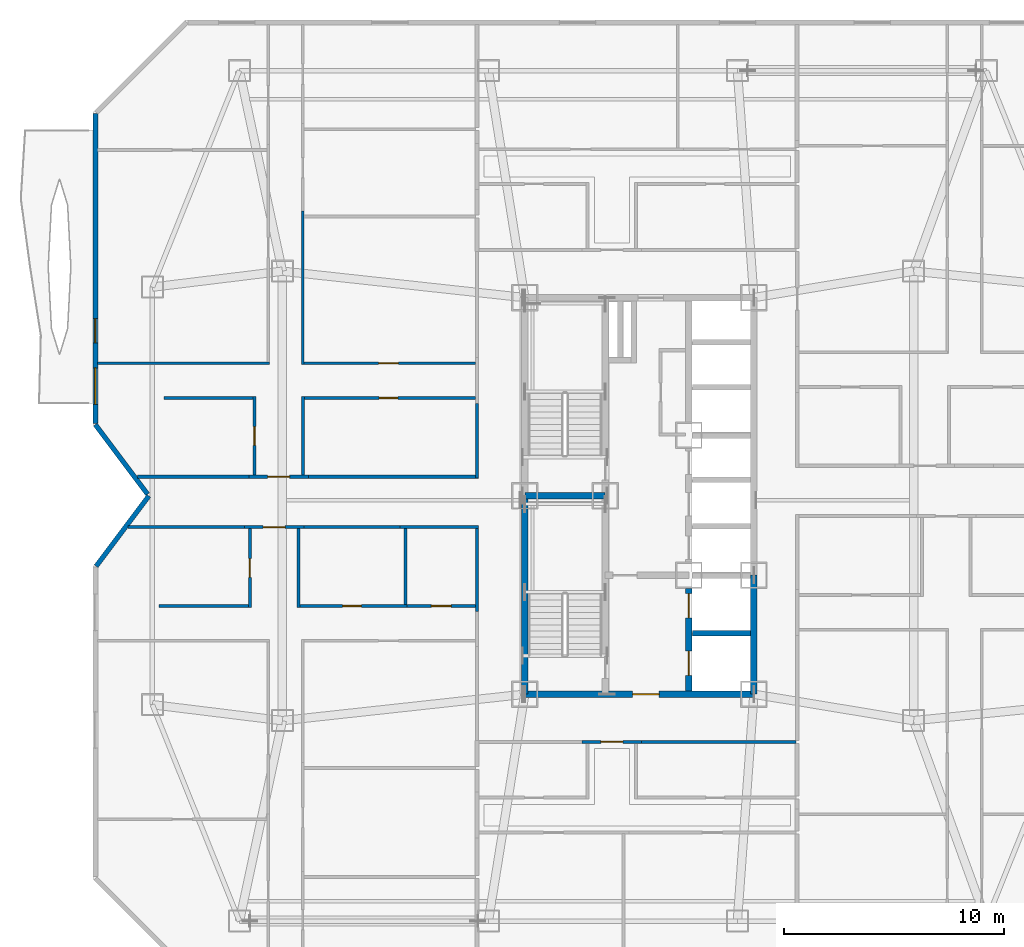
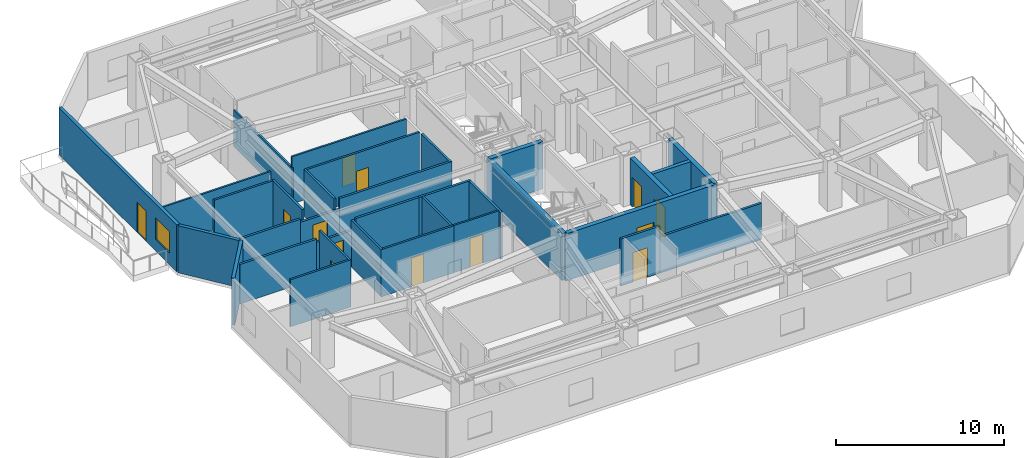
# One storey, part 8 of 15: 33 walls, 13 doors, 1 window, 14 openings.
"""IFC4 building model written with IfcOpenShell, lengths in metres."""

import ifcopenshell
import ifcopenshell.guid

model = None  # the IFC model being written
_history = None  # IfcOwnerHistory: only IFC2X3 demands one
_inside = {}  # id of a spatial element -> (the spatial element, [elements in it])
_under = {}  # id of a project, library or spatial element -> (it, [spatial elements below it])
_declared = {}  # id of a project -> (the project, [libraries it declares])
_typed = {}  # id of a type object -> (the type object, [elements of that type])
_made_of = {}  # id of a material, layer set ... -> (it, [elements and type objects made of it])


def new_model(schema):
    """Start an empty IFC model of exactly this schema.

    Asked for "IFC4X3", IfcOpenShell would pick the latest addendum, in which some entities
    have other attributes; the version numbers below select the first issue.
    IFC2X3 requires an IfcOwnerHistory on every rooted entity: one is made here for all.
    """
    global model, _history
    if schema == "IFC4X3":
        model = ifcopenshell.file(schema_version=(4, 3, 0, 0))
    else:
        model = ifcopenshell.file(schema=schema)
    _inside.clear()
    _under.clear()
    _declared.clear()
    _typed.clear()
    _made_of.clear()
    _history = None
    if model.schema == "IFC2X3":
        org = make("IfcOrganization", Name="unknown")
        user = make(
            "IfcPersonAndOrganization",
            ThePerson=make("IfcPerson", FamilyName="unknown"),
            TheOrganization=org,
        )
        app = make(
            "IfcApplication",
            ApplicationDeveloper=org,
            Version="unknown",
            ApplicationFullName="unknown",
            ApplicationIdentifier="unknown",
        )
        _history = make(
            "IfcOwnerHistory",
            OwningUser=user,
            OwningApplication=app,
            ChangeAction="ADDED",
            CreationDate=0,
        )
    return model


def make(cls, **values):
    """One entity of the class cls with the attributes given. An attribute that is None is left unset."""
    return model.create_entity(
        cls, **{name: value for name, value in values.items() if value is not None}
    )


def rooted(cls, **values):
    """An entity with a GlobalId (a new one), such as an element, a storey or a relation."""
    return make(cls, GlobalId=ifcopenshell.guid.new(), OwnerHistory=_history, **values)


def si_unit(unit_type, name, prefix=None):
    """IfcSIUnit, for example si_unit("LENGTHUNIT", "METRE", prefix="MILLI")."""
    return make("IfcSIUnit", UnitType=unit_type, Prefix=prefix, Name=name)


def assignment(units):
    """IfcUnitAssignment: the units of a project."""
    return None if units is None else make("IfcUnitAssignment", Units=units)


def point(xyz):
    """IfcCartesianPoint."""
    return None if xyz is None else make("IfcCartesianPoint", Coordinates=xyz)


def direction(xyz):
    """IfcDirection."""
    return None if xyz is None else make("IfcDirection", DirectionRatios=xyz)


def frame(location, z_axis=None, x_axis=None):
    """IfcAxis2Placement3D, a coordinate frame: its origin and axes. An axis left out is left unset."""
    return make(
        "IfcAxis2Placement3D",
        Location=point(location),
        Axis=direction(z_axis),
        RefDirection=direction(x_axis),
    )


def frame_2d(location, x_axis=None):
    """IfcAxis2Placement2D, a coordinate frame in the plane: its origin and x axis."""
    return make(
        "IfcAxis2Placement2D", Location=point(location), RefDirection=direction(x_axis)
    )


def origin():
    """The frame at (0, 0, 0) with its axes left unset."""
    return frame((0.0, 0.0, 0.0))


def place(relative_to, where):
    """IfcLocalPlacement: puts the frame where relative to a parent placement (None: the world)."""
    return make(
        "IfcLocalPlacement", PlacementRelTo=relative_to, RelativePlacement=where
    )


def context(
    kind, dimensions, precision=None, world=None, true_north=None, identifier=None
):
    """IfcGeometricRepresentationContext, for example the 3D "Model" context."""
    return make(
        "IfcGeometricRepresentationContext",
        ContextIdentifier=identifier,
        ContextType=kind,
        CoordinateSpaceDimension=dimensions,
        Precision=precision,
        WorldCoordinateSystem=world,
        TrueNorth=true_north,
    )


def subcontext(parent, identifier, kind, view, scale=None):
    """IfcGeometricRepresentationSubContext, for example "Body" below "Model"."""
    return make(
        "IfcGeometricRepresentationSubContext",
        ContextIdentifier=identifier,
        ContextType=kind,
        ParentContext=parent,
        TargetScale=scale,
        TargetView=view,
    )


def project(units=None, contexts=None):
    """IfcProject with its units and contexts."""
    return rooted(
        "IfcProject",
        Name="project",
        RepresentationContexts=contexts,
        UnitsInContext=assignment(units),
    )


def spatial(cls, under=None, at=None, **own):
    """A site, building, storey or space (cls), placed at a placement, below another one or the project."""
    s = rooted(cls, ObjectPlacement=at, **own)
    if under is not None:
        _under.setdefault(under.id(), (under, []))[1].append(s)
    return s


def profile(cls, at=None, kind="AREA", **sizes):
    """A parametric profile (cls). Its sizes go by their IFC names, for example OverallWidth=200.0."""
    return make(cls, ProfileType=kind, Position=at, **sizes)


def rectangle(**sizes):
    """IfcRectangleProfileDef."""
    return profile("IfcRectangleProfileDef", **sizes)


def extrude(swept, where, along, depth):
    """IfcExtrudedAreaSolid: the profile swept, set in the frame where, extruded along a direction by depth."""
    return make(
        "IfcExtrudedAreaSolid",
        SweptArea=swept,
        Position=where,
        ExtrudedDirection=direction(along),
        Depth=depth,
    )


def shape(context_of_items, identifier, shape_type, items):
    """IfcShapeRepresentation: the items that make up one representation, for example the "Body"."""
    return make(
        "IfcShapeRepresentation",
        ContextOfItems=context_of_items,
        RepresentationIdentifier=identifier,
        RepresentationType=shape_type,
        Items=items,
    )


def material(Name=None, Category=None):
    """IfcMaterial."""
    return make("IfcMaterial", Name=Name, Category=Category)


def layer(
    of_material, thickness, ventilated=None, Name=None, Category=None, Priority=None
):
    """IfcMaterialLayer: one layer of a wall or slab, of a material (None: an air gap)."""
    return make(
        "IfcMaterialLayer",
        Material=of_material,
        LayerThickness=thickness,
        IsVentilated=ventilated,
        Name=Name,
        Category=Category,
        Priority=Priority,
    )


def layer_set(layers, Name=None):
    """IfcMaterialLayerSet."""
    return make("IfcMaterialLayerSet", MaterialLayers=layers, LayerSetName=Name)


def made_of(thing, what):
    """Note that an element or type object is made of a material, layer set ...; save() writes the relation."""
    if what is not None:
        _made_of.setdefault(what.id(), (what, []))[1].append(thing)
    return thing


def type_object(cls, material=None, **own):
    """A type object (cls), such as IfcWallType, which elements share."""
    return made_of(rooted(cls, **own), material)


def element(
    cls,
    number,
    at=None,
    inside=None,
    cuts=None,
    type_object=None,
    material=None,
    context=None,
    identifier="Body",
    shape_type=None,
    held_by="IfcProductDefinitionShape",
    body=None,
    shapes=None,
    **own,
):
    """One element of the class cls, such as IfcWall. Its Tag is "e" and its number.

    at: its placement. inside: the storey or other place that contains it. cuts: it is an
    opening in that element (IfcRelVoidsElement). A single representation is given by context,
    identifier, shape_type and body (its items); several are given by shapes. held_by: the class
    of the entity that holds the representations. save() writes the other relations.
    """
    e = rooted(cls, Tag="e%d" % number, ObjectPlacement=at, **own)
    if body is not None:
        shapes = [shape(context, identifier, shape_type, body)]
    if shapes is not None:
        e.Representation = make(held_by, Representations=shapes)
    if inside is not None:
        _inside.setdefault(inside.id(), (inside, []))[1].append(e)
    if cuts is not None:
        rooted(
            "IfcRelVoidsElement", RelatingBuildingElement=cuts, RelatedOpeningElement=e
        )
    if type_object is not None:
        _typed.setdefault(type_object.id(), (type_object, []))[1].append(e)
    return made_of(e, material)


def fill(opening, filler):
    """IfcRelFillsElement: the door or window that sits in an opening."""
    return rooted(
        "IfcRelFillsElement",
        RelatingOpeningElement=opening,
        RelatedBuildingElement=filler,
    )


def aggregate(whole, parts):
    """IfcRelAggregates: a whole, such as a stair, and the parts it consists of."""
    return rooted("IfcRelAggregates", RelatingObject=whole, RelatedObjects=parts)


def save(model, path):
    """Write the relations noted so far, then the file.

    IfcRelAggregates (storeys below a building ...), IfcRelContainedInSpatialStructure (elements
    in a storey), IfcRelDefinesByType, IfcRelAssociatesMaterial and IfcRelDeclares: one each for
    every whole, place, type object, material and project.
    """
    for whole, parts in _under.values():
        aggregate(whole, parts)
    for where, things in _inside.values():
        rooted(
            "IfcRelContainedInSpatialStructure",
            RelatedElements=things,
            RelatingStructure=where,
        )
    for kind, things in _typed.values():
        rooted("IfcRelDefinesByType", RelatedObjects=things, RelatingType=kind)
    for what, things in _made_of.values():
        rooted("IfcRelAssociatesMaterial", RelatedObjects=things, RelatingMaterial=what)
    for by, libraries in _declared.values():
        rooted("IfcRelDeclares", RelatingContext=by, RelatedDefinitions=libraries)
    model.write(path)


model = new_model("IFC4")

# Units and contexts
model_context = context("Model", 3, precision=1e-05, world=origin(), true_north=direction((0.0, 1.0)))
body_context = subcontext(model_context, "Body", "Model", "MODEL_VIEW")
ifc_project = project(units=[si_unit("LENGTHUNIT", "METRE"), si_unit("AREAUNIT", "SQUARE_METRE"), si_unit("VOLUMEUNIT", "CUBIC_METRE"), si_unit("PLANEANGLEUNIT", "RADIAN"), si_unit("MASSUNIT", "GRAM", prefix="KILO")], contexts=[model_context])

# Site, building, storey
site_placement = place(None, origin())
site = spatial("IfcSite", under=ifc_project, at=site_placement, CompositionType="ELEMENT")
building_placement = place(site_placement, origin())
building = spatial("IfcBuilding", under=site, at=building_placement, Name="Khamvora Tower", CompositionType="ELEMENT")
storey_placement = place(building_placement, frame((0.0, 0.0, 101.89990234375)))
storey = spatial("IfcBuildingStorey", under=building, at=storey_placement, Name="L25", CompositionType="ELEMENT", Elevation=101.89990234375)

# Wall
ifc_material_1 = material(Name="Concrete C50/60", Category="concrete")
ifc_layer_1 = layer(ifc_material_1, 0.300048828125)
ifc_layer_set_1 = layer_set([ifc_layer_1], Name="Concrete C50/60")
wall_type_1 = type_object("IfcWallType", Name="WAL-CORE-300", PredefinedType="SHEAR", material=ifc_layer_set_1)
wall_1_placement = place(storey_placement, frame((29.0, 19.0, 0.0), z_axis=(0.0, 0.0, 1.0), x_axis=(0.0, 1.0, 0.0)))
element("IfcWall", 1, at=wall_1_placement, inside=storey, type_object=wall_type_1, Name="L25 central core west south wall", PredefinedType="SHEAR", context=body_context, shape_type="SweptSolid", body=[
    extrude(rectangle(XDim=9.0, YDim=0.300048828125, at=frame_2d((4.5, 0.0))), origin(), (0.0, 0.0, 1.0), 3.43017578125),
])

# Wall, opening, door
wall_2_placement = place(storey_placement, frame((29.0, 19.0, 0.0), z_axis=(0.0, 0.0, 1.0), x_axis=(1.0, 0.0, 0.0)))
wall_2 = element("IfcWall", 2, at=wall_2_placement, inside=storey, type_object=wall_type_1, Name="L25 central core south wall", PredefinedType="SHEAR", context=body_context, shape_type="SweptSolid", body=[
    extrude(rectangle(XDim=10.39990234375, YDim=0.300048828125, at=frame_2d((5.199951171875, 0.0))), origin(), (0.0, 0.0, 1.0), 3.43017578125),
])
opening_1_placement = place(wall_2_placement, frame((4.89990234375, 0.0, 0.0)))
opening_1 = element("IfcOpeningElement", 3, at=opening_1_placement, cuts=wall_2, Name="Opening D-CR1", PredefinedType="OPENING", context=body_context, shape_type="SweptSolid", body=[
    extrude(rectangle(XDim=1.199951171875, YDim=2.14990234375, at=frame_2d((0.60009765625, 1.074951171875))), frame((0.0, 0.159912109375, 0.0), z_axis=(0.0, -1.0, 0.0), x_axis=(1.0, 0.0, 0.0)), (0.0, 0.0, 1.0), 0.320068359375),
])
ifc_material_2 = material(Name="Powder-Coated Steel and Hardwood Leaf", Category="steel")
door_type_1 = type_object("IfcDoorType", Name="DOR-CORR-1200", OperationType="NOTDEFINED", PredefinedType="DOOR", material=ifc_material_2)
door_1_placement = place(opening_1_placement, origin())
door_1 = element("IfcDoor", 4, at=door_1_placement, inside=storey, type_object=door_type_1, Name="L25 south core lobby to corridor fire door", OperationType="SINGLE_SWING_RIGHT", OverallHeight=2.14990234375, OverallWidth=1.199951171875, PredefinedType="DOOR", context=body_context, shape_type="SweptSolid", body=[
    extrude(rectangle(XDim=1.199951171875, YDim=2.14990234375, at=frame_2d((0.60009765625, 1.074951171875))), frame((0.0, 0.02490234375, 0.0), z_axis=(0.0, -1.0, 0.0), x_axis=(1.0, 0.0, 0.0)), (0.0, 0.0, 1.0), 0.050048828125),
])
fill(opening_1, door_1)

# Walls
wall_3_placement = place(storey_placement, frame((39.39990234375, 19.0, 0.0), z_axis=(0.0, 0.0, 1.0), x_axis=(0.0, 1.0, 0.0)))
element("IfcWall", 5, at=wall_3_placement, inside=storey, type_object=wall_type_1, Name="L25 central core east south wall", PredefinedType="SHEAR", context=body_context, shape_type="SweptSolid", body=[
    extrude(rectangle(XDim=5.39990234375, YDim=0.300048828125, at=frame_2d((2.699951171875, 0.0))), origin(), (0.0, 0.0, 1.0), 3.43017578125),
])
wall_4_placement = place(storey_placement, frame((29.0, 28.0, 0.0), z_axis=(0.0, 0.0, 1.0), x_axis=(1.0, 0.0, 0.0)))
element("IfcWall", 6, at=wall_4_placement, inside=storey, type_object=wall_type_1, Name="L25 central core stair cross wall", PredefinedType="SHEAR", context=body_context, shape_type="SweptSolid", body=[
    extrude(rectangle(XDim=3.64990234375, YDim=0.300048828125, at=frame_2d((1.824951171875, 0.0))), origin(), (0.0, 0.0, 1.0), 3.43017578125),
])

# Wall, openings, doors
wall_5_placement = place(storey_placement, frame((36.449951171875, 19.154052734375, 0.0), z_axis=(0.0, 0.0, 1.0), x_axis=(0.0, 1.0, 0.0)))
wall_5 = element("IfcWall", 7, at=wall_5_placement, inside=storey, type_object=wall_type_1, Name="L25 central core lift bank south wall", PredefinedType="SHEAR", context=body_context, shape_type="SweptSolid", body=[
    extrude(rectangle(XDim=4.64599609375, YDim=0.300048828125, at=frame_2d((2.322998046875, 0.0))), origin(), (0.0, 0.0, 1.0), 3.43017578125),
])
opening_2_placement = place(wall_5_placement, frame((0.696044921875, 0.0, 0.0)))
opening_2 = element("IfcOpeningElement", 8, at=opening_2_placement, cuts=wall_5, Name="Opening LD-FFL", PredefinedType="OPENING", context=body_context, shape_type="SweptSolid", body=[
    extrude(rectangle(XDim=1.10009765625, YDim=2.14990234375, at=frame_2d((0.550048828125, 1.074951171875))), frame((0.0, 0.159912109375, 0.0), z_axis=(0.0, -1.0, 0.0), x_axis=(1.0, 0.0, 0.0)), (0.0, 0.0, 1.0), 0.320068359375),
])
opening_3_placement = place(wall_5_placement, frame((3.31591796875, 0.0, 0.0)))
opening_3 = element("IfcOpeningElement", 9, at=opening_3_placement, cuts=wall_5, Name="Opening LD-FFL", PredefinedType="OPENING", context=body_context, shape_type="SweptSolid", body=[
    extrude(rectangle(XDim=1.10009765625, YDim=2.14990234375, at=frame_2d((0.550048828125, 1.074951171875))), frame((0.0, 0.159912109375, 0.0), z_axis=(0.0, -1.0, 0.0), x_axis=(1.0, 0.0, 0.0)), (0.0, 0.0, 1.0), 0.320068359375),
])
door_type_2 = type_object("IfcDoorType", Name="DOR-LIFT-1100", OperationType="SLIDING_TO_LEFT", PredefinedType="DOOR", material=ifc_material_2)
door_2_placement = place(opening_2_placement, origin())
door_2 = element("IfcDoor", 10, at=door_2_placement, inside=storey, type_object=door_type_2, Name="L25 lift landing sliding door FFL-01", OperationType="SLIDING_TO_LEFT", OverallHeight=2.14990234375, OverallWidth=1.10009765625, PredefinedType="DOOR", context=body_context, shape_type="SweptSolid", body=[
    extrude(rectangle(XDim=1.10009765625, YDim=2.14990234375, at=frame_2d((0.550048828125, 1.074951171875))), frame((0.0, 0.02490234375, 0.0), z_axis=(0.0, -1.0, 0.0), x_axis=(1.0, 0.0, 0.0)), (0.0, 0.0, 1.0), 0.050048828125),
])
fill(opening_2, door_2)
door_3_placement = place(opening_3_placement, origin())
door_3 = element("IfcDoor", 11, at=door_3_placement, inside=storey, type_object=door_type_2, Name="L25 lift landing sliding door FFL-02", OperationType="SLIDING_TO_LEFT", OverallHeight=2.14990234375, OverallWidth=1.10009765625, PredefinedType="DOOR", context=body_context, shape_type="SweptSolid", body=[
    extrude(rectangle(XDim=1.10009765625, YDim=2.14990234375, at=frame_2d((0.550048828125, 1.074951171875))), frame((0.0, 0.02490234375, 0.0), z_axis=(0.0, -1.0, 0.0), x_axis=(1.0, 0.0, 0.0)), (0.0, 0.0, 1.0), 0.050048828125),
])
fill(opening_3, door_3)

# Walls
ifc_material_3 = material(Name="Fire-Rated Drywall and Steel Stud", Category="steel")
ifc_layer_2 = layer(ifc_material_3, 0.14990234375)
ifc_layer_set_2 = layer_set([ifc_layer_2], Name="Fire-Rated Drywall and Steel Stud")
wall_type_2 = type_object("IfcWallType", Name="WAL-CORR-150", PredefinedType="STANDARD", material=ifc_layer_set_2)
wall_6_placement = place(storey_placement, frame((26.8349609375, 22.756103515625, 0.0), z_axis=(0.0, 0.0, 1.0), x_axis=(0.0, 1.0, 0.0)))
element("IfcWall", 12, at=wall_6_placement, inside=storey, type_object=wall_type_2, Name="L25 interior partition wall 004", PredefinedType="STANDARD", context=body_context, shape_type="SweptSolid", body=[
    extrude(rectangle(XDim=3.893798828125, YDim=0.14990234375, at=frame_2d((1.94677734375, 0.0))), origin(), (0.0, 0.0, 1.0), 3.43017578125),
])
wall_7_placement = place(storey_placement, frame((26.89794921875, 26.5849609375, 0.0), z_axis=(0.0, 0.0, 1.0), x_axis=(-1.0, 0.0, 0.0)))
element("IfcWall", 13, at=wall_7_placement, inside=storey, type_object=wall_type_2, Name="L25 interior partition wall 005", PredefinedType="STANDARD", context=body_context, shape_type="SweptSolid", body=[
    extrude(rectangle(XDim=3.556884765625, YDim=0.14990234375, at=frame_2d((1.7783203125, 0.0))), origin(), (0.0, 0.0, 1.0), 3.43017578125),
])

# Wall, opening, door
wall_8_placement = place(storey_placement, frame((18.97509765625, 26.5849609375, 0.0), z_axis=(0.0, 0.0, 1.0), x_axis=(-1.0, 0.0, 0.0)))
wall_8 = element("IfcWall", 14, at=wall_8_placement, inside=storey, type_object=wall_type_2, Name="L25 interior partition wall 007", PredefinedType="STANDARD", context=body_context, shape_type="SweptSolid", body=[
    extrude(rectangle(XDim=2.69921875, YDim=0.14990234375, at=frame_2d((1.349609375, 0.0))), origin(), (0.0, 0.0, 1.0), 2.647216796875),
])
opening_4_placement = place(wall_8_placement, frame((0.84912109375, 0.0, 0.0)))
opening_4 = element("IfcOpeningElement", 15, at=opening_4_placement, cuts=wall_8, Name="Opening D-U1", PredefinedType="OPENING", context=body_context, shape_type="SweptSolid", body=[
    extrude(rectangle(XDim=1.0, YDim=2.14990234375, at=frame_2d((0.5, 1.074951171875))), frame((0.0, 0.0849609375, 0.0), z_axis=(0.0, -1.0, 0.0), x_axis=(1.0, 0.0, 0.0)), (0.0, 0.0, 1.0), 0.169921875),
])
door_type_3 = type_object("IfcDoorType", Name="DOR-UNIT-1000", OperationType="NOTDEFINED", PredefinedType="DOOR", material=ifc_material_2)
door_4_placement = place(opening_4_placement, origin())
door_4 = element("IfcDoor", 16, at=door_4_placement, inside=storey, type_object=door_type_3, Name="L25 interior door COR-25WAH", OperationType="SINGLE_SWING_LEFT", OverallHeight=2.14990234375, OverallWidth=1.0, PredefinedType="DOOR", context=body_context, shape_type="SweptSolid", body=[
    extrude(rectangle(XDim=1.0, YDim=2.14990234375, at=frame_2d((0.5, 1.074951171875))), frame((0.0, 0.02490234375, 0.0), z_axis=(0.0, -1.0, 0.0), x_axis=(1.0, 0.0, 0.0)), (0.0, 0.0, 1.0), 0.050048828125),
])
fill(opening_4, door_4)

# Walls
wall_9_placement = place(storey_placement, frame((16.27587890625, 26.5849609375, 0.0), z_axis=(0.0, 0.0, 1.0), x_axis=(-1.0, 0.0, 0.0)))
element("IfcWall", 17, at=wall_9_placement, inside=storey, type_object=wall_type_2, Name="L25 interior partition wall 008", PredefinedType="STANDARD", context=body_context, shape_type="SweptSolid", body=[
    extrude(rectangle(XDim=5.27197265625, YDim=0.14990234375, at=frame_2d((2.635986328125, 0.0))), origin(), (0.0, 0.0, 1.0), 2.8759765625),
])
wall_10_placement = place(storey_placement, frame((23.341064453125, 26.5849609375, 0.0), z_axis=(0.0, 0.0, 1.0), x_axis=(-1.0, 0.0, 0.0)))
element("IfcWall", 18, at=wall_10_placement, inside=storey, type_object=wall_type_2, Name="L25 interior partition wall 009", PredefinedType="STANDARD", context=body_context, shape_type="SweptSolid", body=[
    extrude(rectangle(XDim=4.365966796875, YDim=0.14990234375, at=frame_2d((2.18310546875, 0.0))), origin(), (0.0, 0.0, 1.0), 3.43017578125),
])

# Wall, opening, door
wall_11_placement = place(storey_placement, frame((16.48291015625, 28.864990234375, 0.0), z_axis=(0.0, 0.0, 1.0), x_axis=(1.0, 0.0, 0.0)))
wall_11 = element("IfcWall", 19, at=wall_11_placement, inside=storey, type_object=wall_type_2, Name="L25 interior partition wall 011", PredefinedType="STANDARD", context=body_context, shape_type="SweptSolid", body=[
    extrude(rectangle(XDim=2.697998046875, YDim=0.14990234375, at=frame_2d((1.34912109375, 0.0))), origin(), (0.0, 0.0, 1.0), 2.647216796875),
])
opening_5_placement = place(wall_11_placement, frame((0.84912109375, 0.0, 0.0)))
opening_5 = element("IfcOpeningElement", 20, at=opening_5_placement, cuts=wall_11, Name="Opening D-U1", PredefinedType="OPENING", context=body_context, shape_type="SweptSolid", body=[
    extrude(rectangle(XDim=1.0, YDim=2.14990234375, at=frame_2d((0.5, 1.074951171875))), frame((0.0, 0.0849609375, 0.0), z_axis=(0.0, -1.0, 0.0), x_axis=(1.0, 0.0, 0.0)), (0.0, 0.0, 1.0), 0.169921875),
])
door_5_placement = place(opening_5_placement, origin())
door_5 = element("IfcDoor", 21, at=door_5_placement, inside=storey, type_object=door_type_3, Name="L25 interior door COR-25WBH", OperationType="SINGLE_SWING_RIGHT", OverallHeight=2.14990234375, OverallWidth=1.0, PredefinedType="DOOR", context=body_context, shape_type="SweptSolid", body=[
    extrude(rectangle(XDim=1.0, YDim=2.14990234375, at=frame_2d((0.5, 1.074951171875))), frame((0.0, 0.02490234375, 0.0), z_axis=(0.0, -1.0, 0.0), x_axis=(1.0, 0.0, 0.0)), (0.0, 0.0, 1.0), 0.050048828125),
])
fill(opening_5, door_5)

# Walls
wall_12_placement = place(storey_placement, frame((11.4169921875, 28.864990234375, 0.0), z_axis=(0.0, 0.0, 1.0), x_axis=(1.0, 0.0, 0.0)))
element("IfcWall", 22, at=wall_12_placement, inside=storey, type_object=wall_type_2, Name="L25 interior partition wall 013", PredefinedType="STANDARD", context=body_context, shape_type="SweptSolid", body=[
    extrude(rectangle(XDim=5.06591796875, YDim=0.14990234375, at=frame_2d((2.532958984375, 0.0))), origin(), (0.0, 0.0, 1.0), 2.8759765625),
])
wall_13_placement = place(storey_placement, frame((19.180908203125, 28.864990234375, 0.0), z_axis=(0.0, 0.0, 1.0), x_axis=(1.0, 0.0, 0.0)))
element("IfcWall", 23, at=wall_13_placement, inside=storey, type_object=wall_type_2, Name="L25 interior partition wall 014", PredefinedType="STANDARD", context=body_context, shape_type="SweptSolid", body=[
    extrude(rectangle(XDim=7.718994140625, YDim=0.14990234375, at=frame_2d((3.859375, 0.0))), origin(), (0.0, 0.0, 1.0), 3.43017578125),
])
wall_14_placement = place(storey_placement, frame((26.8349609375, 28.802001953125, 0.0), z_axis=(0.0, 0.0, 1.0), x_axis=(0.0, 1.0, 0.0)))
element("IfcWall", 24, at=wall_14_placement, inside=storey, type_object=wall_type_2, Name="L25 interior partition wall 015", PredefinedType="STANDARD", context=body_context, shape_type="SweptSolid", body=[
    extrude(rectangle(XDim=3.39404296875, YDim=0.14990234375, at=frame_2d((1.697021484375, 0.0))), origin(), (0.0, 0.0, 1.0), 3.43017578125),
])

# Wall, opening, door
wall_15_placement = place(storey_placement, frame((34.299072265625, 16.8349609375, 0.0), z_axis=(0.0, 0.0, 1.0), x_axis=(-1.0, 0.0, 0.0)))
wall_15 = element("IfcWall", 25, at=wall_15_placement, inside=storey, type_object=wall_type_2, Name="L25 interior partition wall 017", PredefinedType="STANDARD", context=body_context, shape_type="SweptSolid", body=[
    extrude(rectangle(XDim=2.697998046875, YDim=0.14990234375, at=frame_2d((1.34912109375, 0.0))), origin(), (0.0, 0.0, 1.0), 3.43017578125),
])
opening_6_placement = place(wall_15_placement, frame((0.84912109375, 0.0, 0.0)))
opening_6 = element("IfcOpeningElement", 26, at=opening_6_placement, cuts=wall_15, Name="Opening D-U1", PredefinedType="OPENING", context=body_context, shape_type="SweptSolid", body=[
    extrude(rectangle(XDim=1.0, YDim=2.14990234375, at=frame_2d((0.5, 1.074951171875))), frame((0.0, 0.0849609375, 0.0), z_axis=(0.0, -1.0, 0.0), x_axis=(1.0, 0.0, 0.0)), (0.0, 0.0, 1.0), 0.169921875),
])
door_6_placement = place(opening_6_placement, origin())
door_6 = element("IfcDoor", 27, at=door_6_placement, inside=storey, type_object=door_type_3, Name="L25 interior door COR-25SAH", OperationType="SINGLE_SWING_LEFT", OverallHeight=2.14990234375, OverallWidth=1.0, PredefinedType="DOOR", context=body_context, shape_type="SweptSolid", body=[
    extrude(rectangle(XDim=1.0, YDim=2.14990234375, at=frame_2d((0.5, 1.074951171875))), frame((0.0, 0.02490234375, 0.0), z_axis=(0.0, -1.0, 0.0), x_axis=(1.0, 0.0, 0.0)), (0.0, 0.0, 1.0), 0.050048828125),
])
fill(opening_6, door_6)

# Walls
wall_16_placement = place(storey_placement, frame((41.300048828125, 16.8349609375, 0.0), z_axis=(0.0, 0.0, 1.0), x_axis=(-1.0, 0.0, 0.0)))
element("IfcWall", 28, at=wall_16_placement, inside=storey, type_object=wall_type_2, Name="L25 interior partition wall 019", PredefinedType="STANDARD", context=body_context, shape_type="SweptSolid", body=[
    extrude(rectangle(XDim=7.0009765625, YDim=0.14990234375, at=frame_2d((3.50048828125, 0.0))), origin(), (0.0, 0.0, 1.0), 2.647216796875),
])
ifc_material_4 = material(Name="Precast concrete C40/50", Category="concrete")
ifc_layer_3 = layer(ifc_material_4, 0.219970703125)
ifc_layer_set_3 = layer_set([ifc_layer_3], Name="Precast concrete C40/50")
wall_type_3 = type_object("IfcWallType", Name="WAL-EXT-220", PredefinedType="STANDARD", material=ifc_layer_set_3)
wall_17_placement = place(storey_placement, frame((9.5439453125, 24.80810546875, 0.0), z_axis=(0.0, 0.0, 1.0), x_axis=(0.600019580308, 0.799985314394, 0.0)))
element("IfcWall", 29, at=wall_17_placement, inside=storey, type_object=wall_type_3, Name="L25 exterior facade wall 03.1", PredefinedType="STANDARD", context=body_context, shape_type="SweptSolid", body=[
    extrude(rectangle(XDim=3.989990234375, YDim=0.219970703125, at=frame_2d((1.9951171875, 0.0))), origin(), (0.0, 0.0, 1.0), 3.43017578125),
])
wall_18_placement = place(storey_placement, frame((11.881103515625, 28.076904296875, 0.0), z_axis=(0.0, 0.0, 1.0), x_axis=(-0.600158184825, 0.799881336942, 0.0)))
element("IfcWall", 30, at=wall_18_placement, inside=storey, type_object=wall_type_3, Name="L25 exterior facade wall 04.1", PredefinedType="STANDARD", context=body_context, shape_type="SweptSolid", body=[
    extrude(rectangle(XDim=3.95068359375, YDim=0.219970703125, at=frame_2d((1.975341796875, 0.0))), origin(), (0.0, 0.0, 1.0), 3.43017578125),
])

# Wall, openings, door, window
wall_19_placement = place(storey_placement, frame((9.510009765625, 31.29296875, 0.0), z_axis=(0.0, 0.0, 1.0), x_axis=(0.0, 1.0, 0.0)))
wall_19 = element("IfcWall", 31, at=wall_19_placement, inside=storey, type_object=wall_type_3, Name="L25 exterior facade wall 05.1", PredefinedType="STANDARD", context=body_context, shape_type="SweptSolid", body=[
    extrude(rectangle(XDim=14.06103515625, YDim=0.219970703125, at=frame_2d((7.030517578125, 0.0))), origin(), (0.0, 0.0, 1.0), 3.43017578125),
])
opening_7_placement = place(wall_19_placement, frame((3.64990234375, 0.0, 0.0)))
opening_7 = element("IfcOpeningElement", 32, at=opening_7_placement, cuts=wall_19, Name="Opening BD-01", PredefinedType="OPENING", context=body_context, shape_type="SweptSolid", body=[
    extrude(rectangle(XDim=1.10009765625, YDim=2.199951171875, at=frame_2d((0.550048828125, 1.10009765625))), frame((0.0, 0.119873046875, 0.0), z_axis=(0.0, -1.0, 0.0), x_axis=(1.0, 0.0, 0.0)), (0.0, 0.0, 1.0), 0.239990234375),
])
opening_8_placement = place(wall_19_placement, frame((0.866943359375, 0.0, 0.85009765625)))
opening_8 = element("IfcOpeningElement", 33, at=opening_8_placement, cuts=wall_19, Name="Opening WN-06", PredefinedType="OPENING", context=body_context, shape_type="SweptSolid", body=[
    extrude(rectangle(XDim=1.64990234375, YDim=1.550048828125, at=frame_2d((0.824951171875, 0.77490234375))), frame((0.0, 0.119873046875, 0.0), z_axis=(0.0, -1.0, 0.0), x_axis=(1.0, 0.0, 0.0)), (0.0, 0.0, 1.0), 0.239990234375),
])
ifc_material_5 = material(Name="Anodised Aluminium and Laminated Safety Glass", Category="aluminium")
door_type_4 = type_object("IfcDoorType", Name="DOR-BAL-1100", OperationType="NOTDEFINED", PredefinedType="DOOR", material=ifc_material_5)
door_7_placement = place(opening_7_placement, origin())
door_7 = element("IfcDoor", 34, at=door_7_placement, inside=storey, type_object=door_type_4, Name="L25 lens gallery balcony door WL2", OperationType="SLIDING_TO_LEFT", OverallHeight=2.199951171875, OverallWidth=1.10009765625, PredefinedType="DOOR", context=body_context, shape_type="SweptSolid", body=[
    extrude(rectangle(XDim=1.10009765625, YDim=2.199951171875, at=frame_2d((0.550048828125, 1.10009765625))), frame((0.0, 0.02490234375, 0.0), z_axis=(0.0, -1.0, 0.0), x_axis=(1.0, 0.0, 0.0)), (0.0, 0.0, 1.0), 0.050048828125),
])
fill(opening_7, door_7)
ifc_material_6 = material(Name="Low-E Laminated Double Glazing", Category="glass")
window_type = type_object("IfcWindowType", Name="WIN-VIS-1650x1550", PartitioningType="SINGLE_PANEL", PredefinedType="WINDOW", material=ifc_material_6)
window_placement = place(opening_8_placement, origin())
window = element("IfcWindow", 35, at=window_placement, inside=storey, type_object=window_type, Name="L25 vision window 05.1.01", OverallHeight=1.550048828125, OverallWidth=1.64990234375, PartitioningType="SINGLE_PANEL", PredefinedType="WINDOW", context=body_context, shape_type="SweptSolid", body=[
    extrude(rectangle(XDim=1.64990234375, YDim=1.550048828125, at=frame_2d((0.824951171875, 0.77490234375))), frame((0.0, 0.030029296875, 0.0), z_axis=(0.0, -1.0, 0.0), x_axis=(1.0, 0.0, 0.0)), (0.0, 0.0, 1.0), 0.06005859375),
])
fill(opening_8, window)

# Wall, opening, door
ifc_material_7 = material(Name="Gypsum Plasterboard Partition", Category="gypsum")
ifc_layer_4 = layer(ifc_material_7, 0.1201171875)
ifc_layer_set_4 = layer_set([ifc_layer_4], Name="Gypsum Plasterboard Partition")
wall_type_4 = type_object("IfcWallType", Name="WAL-PART-120", PredefinedType="PARTITIONING", material=ifc_layer_set_4)
wall_20_placement = place(storey_placement, frame((26.77001953125, 23.0048828125, 0.0), z_axis=(0.0, 0.0, 1.0), x_axis=(-1.0, 0.0, 0.0)))
wall_20 = element("IfcWall", 36, at=wall_20_placement, inside=storey, type_object=wall_type_4, Name="L25 interior partition wall 036", PredefinedType="PARTITIONING", context=body_context, shape_type="SweptSolid", body=[
    extrude(rectangle(XDim=3.114013671875, YDim=0.1201171875, at=frame_2d((1.55712890625, 0.0))), origin(), (0.0, 0.0, 1.0), 3.43017578125),
])
opening_9_placement = place(wall_20_placement, frame((1.10693359375, 0.0, 0.0)))
opening_9 = element("IfcOpeningElement", 37, at=opening_9_placement, cuts=wall_20, Name="Opening D-RM1", PredefinedType="OPENING", context=body_context, shape_type="SweptSolid", body=[
    extrude(rectangle(XDim=0.89990234375, YDim=2.10009765625, at=frame_2d((0.449951171875, 1.050048828125))), frame((0.0, 0.070068359375, 0.0), z_axis=(0.0, -1.0, 0.0), x_axis=(1.0, 0.0, 0.0)), (0.0, 0.0, 1.0), 0.14013671875),
])
door_type_5 = type_object("IfcDoorType", Name="DOR-ROOM-900", OperationType="NOTDEFINED", PredefinedType="DOOR", material=ifc_material_2)
door_8_placement = place(opening_9_placement, origin())
door_8 = element("IfcDoor", 38, at=door_8_placement, inside=storey, type_object=door_type_5, Name="L25 interior door 25WAW2-25WAH", OperationType="SINGLE_SWING_RIGHT", OverallHeight=2.10009765625, OverallWidth=0.89990234375, PredefinedType="DOOR", context=body_context, shape_type="SweptSolid", body=[
    extrude(rectangle(XDim=0.89990234375, YDim=2.10009765625, at=frame_2d((0.449951171875, 1.050048828125))), frame((0.0, 0.02490234375, 0.0), z_axis=(0.0, -1.0, 0.0), x_axis=(1.0, 0.0, 0.0)), (0.0, 0.0, 1.0), 0.050048828125),
])
fill(opening_9, door_8)

# Wall
wall_21_placement = place(storey_placement, frame((9.612060546875, 34.02490234375, 0.0), z_axis=(0.0, 0.0, 1.0), x_axis=(1.0, 0.0, 0.0)))
element("IfcWall", 39, at=wall_21_placement, inside=storey, type_object=wall_type_4, Name="L25 interior partition wall 061", PredefinedType="PARTITIONING", context=body_context, shape_type="SweptSolid", body=[
    extrude(rectangle(XDim=7.807861328125, YDim=0.1201171875, at=frame_2d((3.90380859375, 0.0))), origin(), (0.0, 0.0, 1.0), 2.8759765625),
])

# Wall, opening, door
wall_22_placement = place(storey_placement, frame((18.866943359375, 34.02490234375, 0.0), z_axis=(0.0, 0.0, 1.0), x_axis=(1.0, 0.0, 0.0)))
wall_22 = element("IfcWall", 40, at=wall_22_placement, inside=storey, type_object=wall_type_4, Name="L25 interior partition wall 064", PredefinedType="PARTITIONING", context=body_context, shape_type="SweptSolid", body=[
    extrude(rectangle(XDim=7.903076171875, YDim=0.1201171875, at=frame_2d((3.95166015625, 0.0))), origin(), (0.0, 0.0, 1.0), 3.43017578125),
])
opening_10_placement = place(wall_22_placement, frame((3.5009765625, 0.0, 0.0)))
opening_10 = element("IfcOpeningElement", 41, at=opening_10_placement, cuts=wall_22, Name="Opening D-RM1", PredefinedType="OPENING", context=body_context, shape_type="SweptSolid", body=[
    extrude(rectangle(XDim=0.89990234375, YDim=2.10009765625, at=frame_2d((0.449951171875, 1.050048828125))), frame((0.0, 0.070068359375, 0.0), z_axis=(0.0, -1.0, 0.0), x_axis=(1.0, 0.0, 0.0)), (0.0, 0.0, 1.0), 0.14013671875),
])
door_9_placement = place(opening_10_placement, origin())
door_9 = element("IfcDoor", 42, at=door_9_placement, inside=storey, type_object=door_type_5, Name="L25 interior door 25WBH-25WBR3", OperationType="SINGLE_SWING_LEFT", OverallHeight=2.10009765625, OverallWidth=0.89990234375, PredefinedType="DOOR", context=body_context, shape_type="SweptSolid", body=[
    extrude(rectangle(XDim=0.89990234375, YDim=2.10009765625, at=frame_2d((0.449951171875, 1.050048828125))), frame((0.0, 0.02490234375, 0.0), z_axis=(0.0, -1.0, 0.0), x_axis=(1.0, 0.0, 0.0)), (0.0, 0.0, 1.0), 0.050048828125),
])
fill(opening_10, door_9)

# Walls
wall_23_placement = place(storey_placement, frame((18.925048828125, 40.927978515625, 0.0), z_axis=(0.0, 0.0, 1.0), x_axis=(0.0, -1.0, 0.0)))
element("IfcWall", 43, at=wall_23_placement, inside=storey, type_object=wall_type_4, Name="L25 interior partition wall 065", PredefinedType="PARTITIONING", context=body_context, shape_type="SweptSolid", body=[
    extrude(rectangle(XDim=6.968017578125, YDim=0.1201171875, at=frame_2d((3.48388671875, 0.0))), origin(), (0.0, 0.0, 1.0), 2.647216796875),
])
ifc_material_8 = material(Name="Concrete C40/50", Category="concrete")
ifc_layer_5 = layer(ifc_material_8, 0.25)
ifc_layer_set_5 = layer_set([ifc_layer_5], Name="Concrete C40/50")
wall_type_5 = type_object("IfcWallType", Name="WAL-PODS-250", PredefinedType="SHEAR", material=ifc_layer_set_5)
wall_24_placement = place(storey_placement, frame((36.60400390625, 21.77490234375, 0.0), z_axis=(0.0, 0.0, 1.0), x_axis=(1.0, 0.0, 0.0)))
element("IfcWall", 44, at=wall_24_placement, inside=storey, type_object=wall_type_5, Name="L25 lift shaft divider wall FFL-01", PredefinedType="SHEAR", context=body_context, shape_type="SweptSolid", body=[
    extrude(rectangle(XDim=2.64208984375, YDim=0.25, at=frame_2d((1.321044921875, 0.0))), origin(), (0.0, 0.0, 1.0), 3.43017578125),
])
ifc_material_9 = material(Name="Moisture-Resistant Plasterboard Partition", Category="gypsum")
ifc_layer_6 = layer(ifc_material_9, 0.135009765625)
ifc_layer_set_6 = layer_set([ifc_layer_6], Name="Moisture-Resistant Plasterboard Partition")
wall_type_6 = type_object("IfcWallType", Name="WAL-WET-135", PredefinedType="PARTITIONING", material=ifc_layer_set_6)
wall_25_placement = place(storey_placement, frame((23.591064453125, 23.070068359375, 0.0), z_axis=(0.0, 0.0, 1.0), x_axis=(0.0, 1.0, 0.0)))
element("IfcWall", 45, at=wall_25_placement, inside=storey, type_object=wall_type_6, Name="L25 interior partition wall 037", PredefinedType="PARTITIONING", context=body_context, shape_type="SweptSolid", body=[
    extrude(rectangle(XDim=3.449951171875, YDim=0.135009765625, at=frame_2d((1.72509765625, 0.0))), origin(), (0.0, 0.0, 1.0), 3.43017578125),
])
wall_26_placement = place(storey_placement, frame((12.410888671875, 23.0048828125, 0.0), z_axis=(0.0, 0.0, 1.0), x_axis=(1.0, 0.0, 0.0)))
element("IfcWall", 46, at=wall_26_placement, inside=storey, type_object=wall_type_6, Name="L25 interior partition wall 038", PredefinedType="PARTITIONING", context=body_context, shape_type="SweptSolid", body=[
    extrude(rectangle(XDim=4.18017578125, YDim=0.135009765625, at=frame_2d((2.090087890625, 0.0))), origin(), (0.0, 0.0, 1.0), 3.43017578125),
])

# Wall, opening, door
wall_27_placement = place(storey_placement, frame((16.52587890625, 22.93994140625, 0.0), z_axis=(0.0, 0.0, 1.0), x_axis=(0.0, 1.0, 0.0)))
wall_27 = element("IfcWall", 47, at=wall_27_placement, inside=storey, type_object=wall_type_6, Name="L25 interior partition wall 039", PredefinedType="PARTITIONING", context=body_context, shape_type="SweptSolid", body=[
    extrude(rectangle(XDim=3.580078125, YDim=0.135009765625, at=frame_2d((1.7900390625, 0.0))), origin(), (0.0, 0.0, 1.0), 3.43017578125),
])
opening_11_placement = place(wall_27_placement, frame((1.364990234375, 0.0, 0.0)))
opening_11 = element("IfcOpeningElement", 48, at=opening_11_placement, cuts=wall_27, Name="Opening D-WC1", PredefinedType="OPENING", context=body_context, shape_type="SweptSolid", body=[
    extrude(rectangle(XDim=0.85009765625, YDim=2.10009765625, at=frame_2d((0.425048828125, 1.050048828125))), frame((0.0, 0.077392578125, 0.0), z_axis=(0.0, -1.0, 0.0), x_axis=(1.0, 0.0, 0.0)), (0.0, 0.0, 1.0), 0.155029296875),
])
door_type_6 = type_object("IfcDoorType", Name="DOR-WET-850", OperationType="NOTDEFINED", PredefinedType="DOOR", material=ifc_material_2)
door_10_placement = place(opening_11_placement, origin())
door_10 = element("IfcDoor", 49, at=door_10_placement, inside=storey, type_object=door_type_6, Name="L25 interior door 25WAH-25WAB", OperationType="SINGLE_SWING_LEFT", OverallHeight=2.10009765625, OverallWidth=0.85009765625, PredefinedType="DOOR", context=body_context, shape_type="SweptSolid", body=[
    extrude(rectangle(XDim=0.85009765625, YDim=2.10009765625, at=frame_2d((0.425048828125, 1.050048828125))), frame((0.0, 0.02490234375, 0.0), z_axis=(0.0, -1.0, 0.0), x_axis=(1.0, 0.0, 0.0)), (0.0, 0.0, 1.0), 0.050048828125),
])
fill(opening_11, door_10)

# Wall
wall_28_placement = place(storey_placement, frame((18.72607421875, 26.52001953125, 0.0), z_axis=(0.0, 0.0, 1.0), x_axis=(0.0, -1.0, 0.0)))
element("IfcWall", 50, at=wall_28_placement, inside=storey, type_object=wall_type_6, Name="L25 interior partition wall 040", PredefinedType="PARTITIONING", context=body_context, shape_type="SweptSolid", body=[
    extrude(rectangle(XDim=3.580078125, YDim=0.135009765625, at=frame_2d((1.7900390625, 0.0))), origin(), (0.0, 0.0, 1.0), 3.43017578125),
])

# Wall, opening, door
wall_29_placement = place(storey_placement, frame((18.660888671875, 23.0048828125, 0.0), z_axis=(0.0, 0.0, 1.0), x_axis=(1.0, 0.0, 0.0)))
wall_29 = element("IfcWall", 51, at=wall_29_placement, inside=storey, type_object=wall_type_6, Name="L25 interior partition wall 041", PredefinedType="PARTITIONING", context=body_context, shape_type="SweptSolid", body=[
    extrude(rectangle(XDim=4.9951171875, YDim=0.135009765625, at=frame_2d((2.49755859375, 0.0))), origin(), (0.0, 0.0, 1.0), 3.43017578125),
])
opening_12_placement = place(wall_29_placement, frame((2.072998046875, 0.0, 0.0)))
opening_12 = element("IfcOpeningElement", 52, at=opening_12_placement, cuts=wall_29, Name="Opening D-RM2", PredefinedType="OPENING", context=body_context, shape_type="SweptSolid", body=[
    extrude(rectangle(XDim=0.85009765625, YDim=2.10009765625, at=frame_2d((0.425048828125, 1.050048828125))), frame((0.0, 0.077392578125, 0.0), z_axis=(0.0, -1.0, 0.0), x_axis=(1.0, 0.0, 0.0)), (0.0, 0.0, 1.0), 0.155029296875),
])
door_type_7 = type_object("IfcDoorType", Name="DOR-ROOM-850", OperationType="NOTDEFINED", PredefinedType="DOOR", material=ifc_material_2)
door_11_placement = place(opening_12_placement, origin())
door_11 = element("IfcDoor", 53, at=door_11_placement, inside=storey, type_object=door_type_7, Name="L25 interior door 25WAH-25WAK", OperationType="SINGLE_SWING_RIGHT", OverallHeight=2.10009765625, OverallWidth=0.85009765625, PredefinedType="DOOR", context=body_context, shape_type="SweptSolid", body=[
    extrude(rectangle(XDim=0.85009765625, YDim=2.10009765625, at=frame_2d((0.425048828125, 1.050048828125))), frame((0.0, 0.02490234375, 0.0), z_axis=(0.0, -1.0, 0.0), x_axis=(1.0, 0.0, 0.0)), (0.0, 0.0, 1.0), 0.050048828125),
])
fill(opening_12, door_11)

wall_30_placement = place(storey_placement, frame((16.73193359375, 28.929931640625, 0.0), z_axis=(0.0, 0.0, 1.0), x_axis=(0.0, 1.0, 0.0)))
wall_30 = element("IfcWall", 54, at=wall_30_placement, inside=storey, type_object=wall_type_6, Name="L25 interior partition wall 057", PredefinedType="PARTITIONING", context=body_context, shape_type="SweptSolid", body=[
    extrude(rectangle(XDim=3.580078125, YDim=0.135009765625, at=frame_2d((1.7900390625, 0.0))), origin(), (0.0, 0.0, 1.0), 3.43017578125),
])
opening_13_placement = place(wall_30_placement, frame((1.364990234375, 0.0, 0.0)))
opening_13 = element("IfcOpeningElement", 55, at=opening_13_placement, cuts=wall_30, Name="Opening D-WC1", PredefinedType="OPENING", context=body_context, shape_type="SweptSolid", body=[
    extrude(rectangle(XDim=0.85009765625, YDim=2.10009765625, at=frame_2d((0.425048828125, 1.050048828125))), frame((0.0, 0.077392578125, 0.0), z_axis=(0.0, -1.0, 0.0), x_axis=(1.0, 0.0, 0.0)), (0.0, 0.0, 1.0), 0.155029296875),
])
door_12_placement = place(opening_13_placement, origin())
door_12 = element("IfcDoor", 56, at=door_12_placement, inside=storey, type_object=door_type_6, Name="L25 interior door 25WBH-25WBB", OperationType="SINGLE_SWING_RIGHT", OverallHeight=2.10009765625, OverallWidth=0.85009765625, PredefinedType="DOOR", context=body_context, shape_type="SweptSolid", body=[
    extrude(rectangle(XDim=0.85009765625, YDim=2.10009765625, at=frame_2d((0.425048828125, 1.050048828125))), frame((0.0, 0.02490234375, 0.0), z_axis=(0.0, -1.0, 0.0), x_axis=(1.0, 0.0, 0.0)), (0.0, 0.0, 1.0), 0.050048828125),
])
fill(opening_13, door_12)

# Wall
wall_31_placement = place(storey_placement, frame((16.797119140625, 32.445068359375, 0.0), z_axis=(0.0, 0.0, 1.0), x_axis=(-1.0, 0.0, 0.0)))
element("IfcWall", 57, at=wall_31_placement, inside=storey, type_object=wall_type_6, Name="L25 interior partition wall 058", PredefinedType="PARTITIONING", context=body_context, shape_type="SweptSolid", body=[
    extrude(rectangle(XDim=4.17919921875, YDim=0.135009765625, at=frame_2d((2.089599609375, 0.0))), origin(), (0.0, 0.0, 1.0), 3.43017578125),
])

# Wall, opening, door
wall_32_placement = place(storey_placement, frame((26.77001953125, 32.445068359375, 0.0), z_axis=(0.0, 0.0, 1.0), x_axis=(-1.0, 0.0, 0.0)))
wall_32 = element("IfcWall", 58, at=wall_32_placement, inside=storey, type_object=wall_type_6, Name="L25 interior partition wall 059", PredefinedType="PARTITIONING", context=body_context, shape_type="SweptSolid", body=[
    extrude(rectangle(XDim=7.903076171875, YDim=0.135009765625, at=frame_2d((3.95166015625, 0.0))), origin(), (0.0, 0.0, 1.0), 3.43017578125),
])
opening_14_placement = place(wall_32_placement, frame((3.52587890625, 0.0, 0.0)))
opening_14 = element("IfcOpeningElement", 59, at=opening_14_placement, cuts=wall_32, Name="Opening D-RM2", PredefinedType="OPENING", context=body_context, shape_type="SweptSolid", body=[
    extrude(rectangle(XDim=0.85009765625, YDim=2.10009765625, at=frame_2d((0.425048828125, 1.050048828125))), frame((0.0, 0.077392578125, 0.0), z_axis=(0.0, -1.0, 0.0), x_axis=(1.0, 0.0, 0.0)), (0.0, 0.0, 1.0), 0.155029296875),
])
door_13_placement = place(opening_14_placement, origin())
door_13 = element("IfcDoor", 60, at=door_13_placement, inside=storey, type_object=door_type_7, Name="L25 interior door 25WBH-25WBK", OperationType="SINGLE_SWING_LEFT", OverallHeight=2.10009765625, OverallWidth=0.85009765625, PredefinedType="DOOR", context=body_context, shape_type="SweptSolid", body=[
    extrude(rectangle(XDim=0.85009765625, YDim=2.10009765625, at=frame_2d((0.425048828125, 1.050048828125))), frame((0.0, 0.02490234375, 0.0), z_axis=(0.0, -1.0, 0.0), x_axis=(1.0, 0.0, 0.0)), (0.0, 0.0, 1.0), 0.050048828125),
])
fill(opening_14, door_13)

# Wall
wall_33_placement = place(storey_placement, frame((18.931884765625, 32.510009765625, 0.0), z_axis=(0.0, 0.0, 1.0), x_axis=(0.0, -1.0, 0.0)))
element("IfcWall", 61, at=wall_33_placement, inside=storey, type_object=wall_type_6, Name="L25 interior partition wall 060", PredefinedType="PARTITIONING", context=body_context, shape_type="SweptSolid", body=[
    extrude(rectangle(XDim=3.580078125, YDim=0.135009765625, at=frame_2d((1.7900390625, 0.0))), origin(), (0.0, 0.0, 1.0), 3.43017578125),
])

save(model, "model.ifc")
